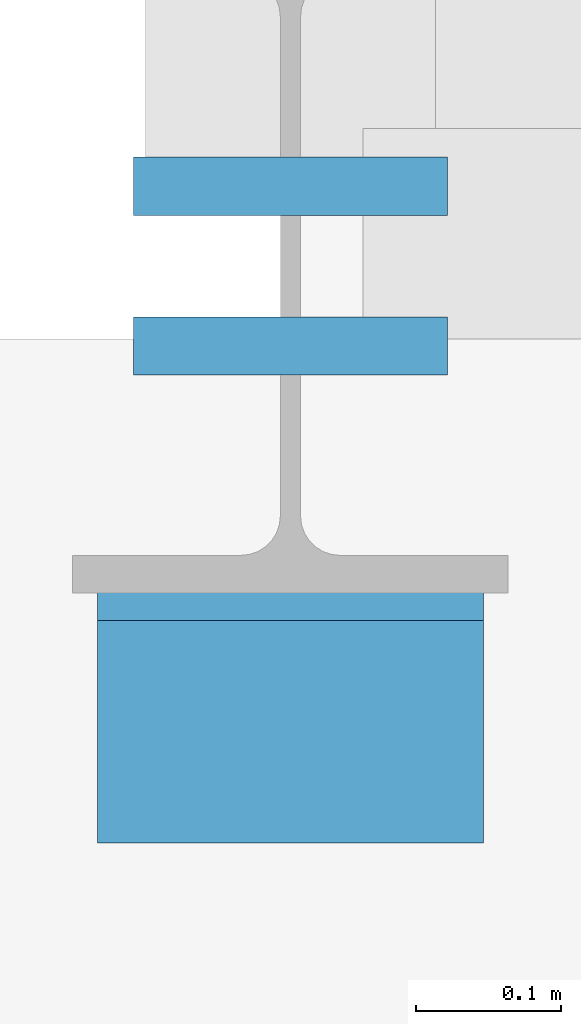
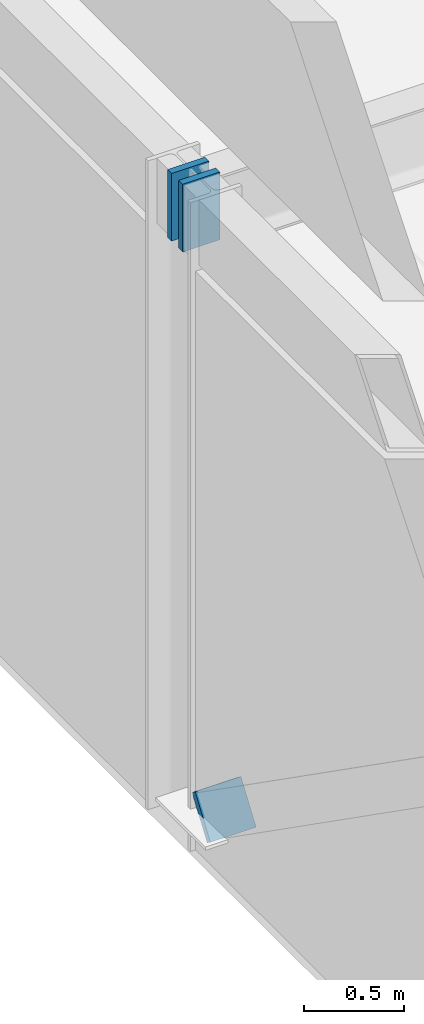
# One storey, part 10 of 14: 3 discrete accessories.
"""IFC4 building model written with IfcOpenShell, lengths in metres."""

from ifc_helpers import new_model, si_unit, direction, frame, origin, origin_2d, place, context, subcontext, project, spatial, rectangle, extrude, material, element, save


model = new_model("IFC4")

# Units and contexts
model_context = context("Model", 3, precision=1e-05, world=origin(), true_north=direction((0.0, 1.0)))
body_context = subcontext(model_context, "Body", "Model", "MODEL_VIEW")
ifc_project = project(units=[si_unit("LENGTHUNIT", "METRE"), si_unit("AREAUNIT", "SQUARE_METRE"), si_unit("VOLUMEUNIT", "CUBIC_METRE"), si_unit("PLANEANGLEUNIT", "RADIAN"), si_unit("MASSUNIT", "GRAM", prefix="KILO")], contexts=[model_context])

# Site, building, storey
site_placement = place(None, origin())
site = spatial("IfcSite", under=ifc_project, at=site_placement, CompositionType="ELEMENT")
building_placement = place(site_placement, origin())
building = spatial("IfcBuilding", under=site, at=building_placement, Name="Marlcrest Central Station", CompositionType="ELEMENT")
storey_placement = place(building_placement, frame((0.0, 0.0, 24.0)))
storey = spatial("IfcBuildingStorey", under=building, at=storey_placement, Name="L05", CompositionType="ELEMENT", Elevation=24.0)

# Discrete accessories
ifc_material = material(Name="Steel S355", Category="steel")
for number, where, z_axis, x_axis, name in (
    (1, (0.0, 120.925048828125, 3.780029296875), (0.0, 1.0, 0.0), (-1.0, 0.0, 0.0), "endcap-bm-SP-01-L05-00694-e"),
    (2, (0.0, 121.03515625, 3.780029296875), (0.0, 1.0, 0.0), (-1.0, 0.0, 0.0), "endcap-bm-SP-01-L05-00695-s"),
):
    element("IfcDiscreteAccessory", number, at=place(storey_placement, frame(where, z_axis=z_axis, x_axis=x_axis)), inside=storey, material=ifc_material, Name=name, ObjectType="END_CAP_PLATE", PredefinedType="BRACKET", context=body_context, shape_type="SweptSolid", body=[
        extrude(rectangle(XDim=0.216064453125, YDim=0.416015625, at=origin_2d()), origin(), (0.0, 0.0, 1.0), 0.0400390625),
    ])
discrete_accessory_placement = place(storey_placement, frame((0.0, 120.712158203125, 0.241455078125), z_axis=(0.0, -0.818064455956, 0.575126547728), x_axis=(1.0, 0.0, 0.0)))
element("IfcDiscreteAccessory", 3, at=discrete_accessory_placement, inside=storey, material=ifc_material, Name="endcap-mem-BF-02-L05-00012-s", ObjectType="END_CAP_PLATE", PredefinedType="BRACKET", context=body_context, shape_type="SweptSolid", body=[
    extrude(rectangle(XDim=0.26611328125, YDim=0.26611328125, at=origin_2d()), origin(), (0.0, 0.0, 1.0), 0.0400390625),
])

save(model, "model.ifc")
